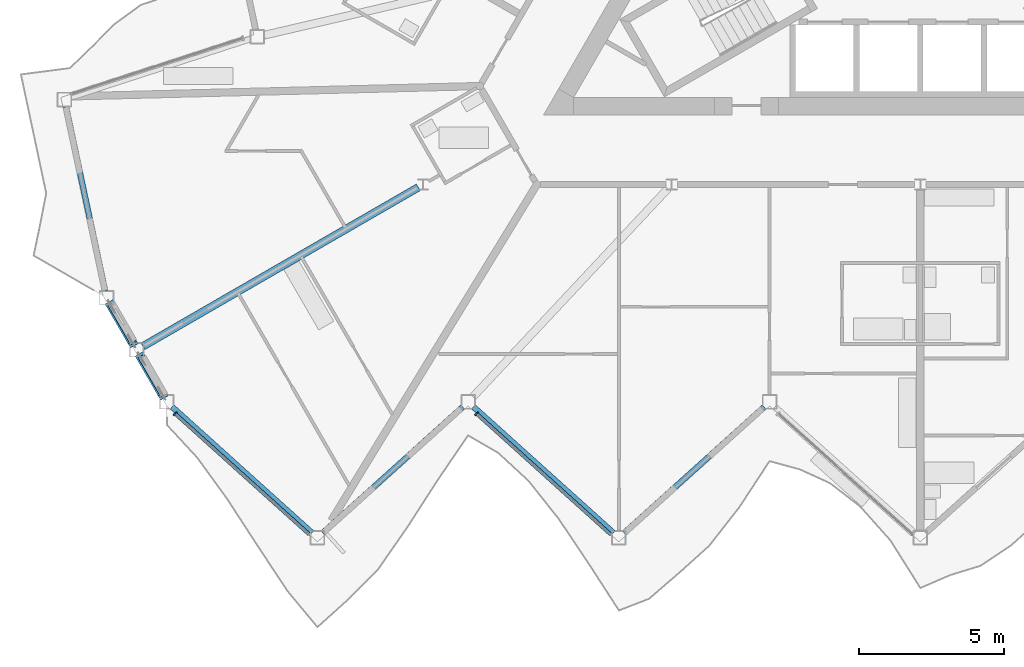
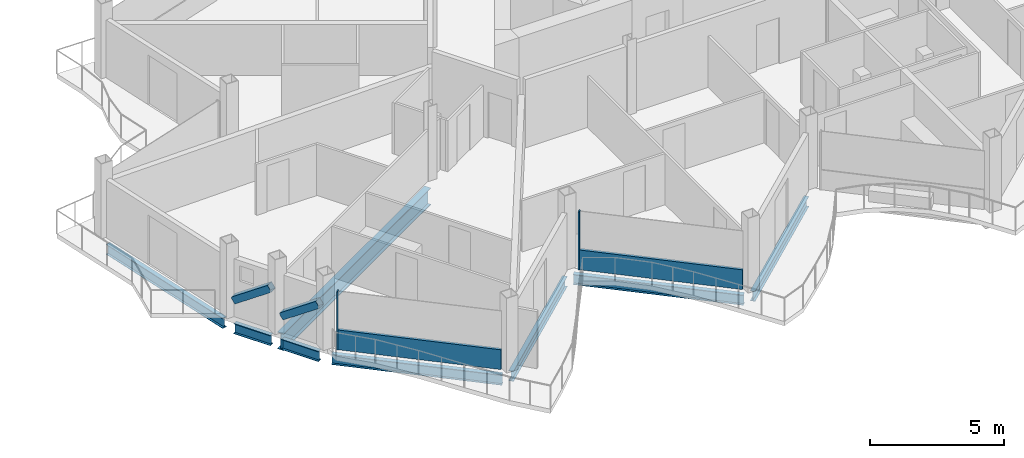
# One storey, part 4 of 26: 8 beams, 6 members, 2 elements without a shape of their own.
"""IFC4 building model written with IfcOpenShell, lengths in metres."""

from ifc_helpers import new_model, si_unit, direction, frame, origin, origin_2d, place, context, subcontext, project, spatial, rectangle, hollow_rectangle, i_section, extrude, material, layer, layer_set, material_profile, profile_set, type_object, element, aggregate, save


model = new_model("IFC4")

# Units and contexts
model_context = context("Model", 3, precision=1e-05, world=origin(), true_north=direction((0.0, 1.0)))
body_context = subcontext(model_context, "Body", "Model", "MODEL_VIEW")
ifc_project = project(units=[si_unit("LENGTHUNIT", "METRE"), si_unit("AREAUNIT", "SQUARE_METRE"), si_unit("VOLUMEUNIT", "CUBIC_METRE"), si_unit("PLANEANGLEUNIT", "RADIAN"), si_unit("MASSUNIT", "GRAM", prefix="KILO")], contexts=[model_context])

# Site, building, storey
site_placement = place(None, origin())
site = spatial("IfcSite", under=ifc_project, at=site_placement, CompositionType="ELEMENT")
building_placement = place(site_placement, origin())
building = spatial("IfcBuilding", under=site, at=building_placement, Name="Cormorant Prow Tower", CompositionType="ELEMENT")
storey_placement = place(building_placement, frame((0.0, 0.0, 398.39990234375)))
storey = spatial("IfcBuildingStorey", under=building, at=storey_placement, Name="L91", CompositionType="ELEMENT", Elevation=398.39990234375)

# Members
ifc_material_1 = material(Name="Structural steel ASTM A500 Gr C", Category="steel")
ifc_material_profile_1 = material_profile(ifc_material_1, hollow_rectangle(XDim=0.3046875, YDim=0.3046875, WallThickness=0.01171875, at=origin_2d()), Name="HSS12x12x1/2")
ifc_profile_set_1 = profile_set([ifc_material_profile_1], Name="Structural steel ASTM A500 Gr C")
member_type_1 = type_object("IfcMemberType", Name="Chamfer brace HSS12x12x1/2", PredefinedType="BRACE", material=ifc_profile_set_1)
member_1_placement = place(storey_placement, frame((-27.950439453125, -14.027587890625, 0.770751953125), z_axis=(0.411259909174, -0.712333680754, 0.568723143867), x_axis=(0.866028632512, 0.499994407638, 0.0)))
element("IfcMember", 1, at=member_1_placement, inside=storey, type_object=member_type_1, Name="Chamfer brace BR3 at WSW00 L91", PredefinedType="BRACE", context=body_context, shape_type="SweptSolid", body=[
    extrude(hollow_rectangle(XDim=0.3046875, YDim=0.3046875, WallThickness=0.01171875, at=origin_2d()), origin(), (0.0, 0.0, 1.0), 1.921142578125),
])
member_2_placement = place(storey_placement, frame((-26.91357421875, -15.823486328125, 0.770751953125), z_axis=(0.41132825952, -0.712359043209, 0.568641940485), x_axis=(0.866000359435, 0.500043375578, 0.0)))
element("IfcMember", 2, at=member_2_placement, inside=storey, type_object=member_type_1, Name="Chamfer brace BR3 at WSW01 L91", PredefinedType="BRACE", context=body_context, shape_type="SweptSolid", body=[
    extrude(hollow_rectangle(XDim=0.3046875, YDim=0.3046875, WallThickness=0.01171875, at=origin_2d()), origin(), (0.0, 0.0, 1.0), 1.92138671875),
])

# Beam
ifc_material_2 = material(Name="Structural steel ASTM A992 Gr 50", Category="steel")
ifc_material_profile_2 = material_profile(ifc_material_2, i_section(OverallWidth=0.267822265625, OverallDepth=0.77001953125, WebThickness=0.015625, FlangeThickness=0.025390625, at=origin_2d()), Name="W30x132")
ifc_profile_set_2 = profile_set([ifc_material_profile_2], Name="Structural steel ASTM A992 Gr 50")
beam_type_1 = type_object("IfcBeamType", Name="Radial floor beam W30x132", PredefinedType="BEAM", material=ifc_profile_set_2)
beam_1_placement = place(storey_placement, frame((-17.31884765625, -9.9990234375, -0.684814453125), z_axis=(-0.866018830095, -0.500011385791, 0.0), x_axis=(0.500011385791, -0.866018830095, 0.0)))
element("IfcBeam", 3, at=beam_1_placement, inside=storey, type_object=beam_type_1, Name="Radial floor beam FB3 5 L91", PredefinedType="BEAM", context=body_context, shape_type="SweptSolid", body=[
    extrude(i_section(OverallWidth=0.267822265625, OverallDepth=0.77001953125, WebThickness=0.015625, FlangeThickness=0.025390625, at=origin_2d()), origin(), (0.0, 0.0, 1.0), 10.971435546875),
])

# Curtain wall, member
ifc_material_3 = material(Name="Aluminium 6063-T6", Category="aluminium")
ifc_layer = layer(ifc_material_3, 0.159912109375)
ifc_layer_set = layer_set([ifc_layer], Name="Aluminium 6063-T6")
curtain_wall_type = type_object("IfcCurtainWallType", Name="Residential unitised curtain wall 160", PredefinedType="NOTDEFINED", material=ifc_layer_set)
curtain_wall_1_placement = place(storey_placement, origin())
curtain_wall_1 = element("IfcCurtainWall", 4, at=curtain_wall_1_placement, inside=storey, type_object=curtain_wall_type, Name="Residential curtain wall S00", PredefinedType="NOTDEFINED")
ifc_material_4 = material(Name="Aluminium 6063-T6", Category="aluminium")
ifc_material_profile_3 = material_profile(ifc_material_4, rectangle(XDim=0.159912109375, YDim=0.050048828125, at=origin_2d()), Name="Residential mullion 50x160")
ifc_profile_set_3 = profile_set([ifc_material_profile_3], Name="Aluminium 6063-T6")
member_type_2 = type_object("IfcMemberType", Name="Residential mullion 50x160", PredefinedType="MULLION", material=ifc_profile_set_3)
member_3_placement = place(storey_placement, frame((-25.70947265625, -17.810546875, 0.0), z_axis=(0.0, 0.0, 1.0), x_axis=(0.669130603959, 0.743144827638, 0.0)))
member_3 = element("IfcMember", 5, at=member_3_placement, type_object=member_type_2, Name="Residential mullion S00", PredefinedType="MULLION", context=body_context, shape_type="SweptSolid", body=[
    extrude(rectangle(XDim=0.159912109375, YDim=0.050048828125, at=origin_2d()), origin(), (0.0, 0.0, 1.0), 2.634033203125),
])

curtain_wall_2_placement = place(storey_placement, origin())
curtain_wall_2 = element("IfcCurtainWall", 6, at=curtain_wall_2_placement, inside=storey, type_object=curtain_wall_type, Name="Residential curtain wall S02", PredefinedType="NOTDEFINED")
member_4_placement = place(storey_placement, frame((-15.309326171875, -17.810546875, 0.0), z_axis=(0.0, 0.0, 1.0), x_axis=(0.669130603959, 0.743144827638, 0.0)))
member_4 = element("IfcMember", 7, at=member_4_placement, type_object=member_type_2, Name="Residential mullion S02", PredefinedType="MULLION", context=body_context, shape_type="SweptSolid", body=[
    extrude(rectangle(XDim=0.159912109375, YDim=0.050048828125, at=origin_2d()), origin(), (0.0, 0.0, 1.0), 2.634033203125),
])

# Member
ifc_material_5 = material(Name="Terracotta", Category="masonry")
ifc_material_profile_4 = material_profile(ifc_material_5, rectangle(XDim=0.1201171875, YDim=0.89990234375, at=origin_2d()), Name="Residential terracotta spandrel rail 120x900")
ifc_profile_set_4 = profile_set([ifc_material_profile_4], Name="Terracotta")
member_type_3 = type_object("IfcMemberType", Name="Residential terracotta spandrel rail 120x900", PredefinedType="USERDEFINED", material=ifc_profile_set_4)
member_5_placement = place(storey_placement, frame((-25.69091796875, -17.8271484375, 0.4501953125), z_axis=(0.743139827378, -0.669136157269, 0.0), x_axis=(0.669136157269, 0.743139827378, 0.0)))
member_5 = element("IfcMember", 8, at=member_5_placement, type_object=member_type_3, Name="Residential spandrel rail S00", ObjectType="TRANSOM", PredefinedType="USERDEFINED", context=body_context, shape_type="SweptSolid", body=[
    extrude(rectangle(XDim=0.1201171875, YDim=0.89990234375, at=origin_2d()), origin(), (0.0, 0.0, 1.0), 6.21533203125),
])

aggregate(curtain_wall_1, [member_3, member_5])

member_6_placement = place(storey_placement, frame((-15.290771484375, -17.8271484375, 0.4501953125), z_axis=(0.743139827378, -0.669136157269, 0.0), x_axis=(0.669136157269, 0.743139827378, 0.0)))
member_6 = element("IfcMember", 9, at=member_6_placement, type_object=member_type_3, Name="Residential spandrel rail S02", ObjectType="TRANSOM", PredefinedType="USERDEFINED", context=body_context, shape_type="SweptSolid", body=[
    extrude(rectangle(XDim=0.1201171875, YDim=0.89990234375, at=origin_2d()), origin(), (0.0, 0.0, 1.0), 6.21533203125),
])

aggregate(curtain_wall_2, [member_4, member_6])

# Beams
ifc_material_6 = material(Name="Structural steel ASTM A992 Gr 50", Category="steel")
ifc_material_profile_5 = material_profile(ifc_material_6, i_section(OverallWidth=0.19287109375, OverallDepth=0.466064453125, WebThickness=0.011474609375, FlangeThickness=0.01904296875, at=origin_2d()), Name="W18x65")
ifc_profile_set_5 = profile_set([ifc_material_profile_5], Name="Structural steel ASTM A992 Gr 50")
beam_type_2 = type_object("IfcBeamType", Name="Spandrel beam W18x65", PredefinedType="SPANDREL", material=ifc_profile_set_5)
for number, where, z_axis, x_axis, name in (
    (10, (-25.814208984375, -17.572998046875, -0.532958984375), (0.743131573737, -0.669145323614, 0.0), (0.669145323614, 0.743131573737, 0.0), "Spandrel beam SB4 S00-S01 L91"),
    (11, (-20.6142578125, -21.920654296875, -0.532958984375), (0.743131573737, 0.669145323614, 0.0), (-0.669145323614, 0.743131573737, 0.0), "Spandrel beam SB4 S01-S02 L91"),
):
    element("IfcBeam", number, at=place(storey_placement, frame(where, z_axis=z_axis, x_axis=x_axis)), inside=storey, type_object=beam_type_2, Name=name, PredefinedType="SPANDREL", context=body_context, shape_type="SweptSolid", body=[
        extrude(i_section(OverallWidth=0.19287109375, OverallDepth=0.466064453125, WebThickness=0.011474609375, FlangeThickness=0.01904296875, at=origin_2d()), origin(), (0.0, 0.0, 1.0), 6.497314453125),
    ])
beam_2_placement = place(storey_placement, frame((-15.414306640625, -17.572998046875, -0.532958984375), z_axis=(0.743148397689, -0.669126638995, 0.0), x_axis=(0.669126638995, 0.743148397689, 0.0)))
element("IfcBeam", 12, at=beam_2_placement, inside=storey, type_object=beam_type_2, Name="Spandrel beam SB4 S02-S03 L91", PredefinedType="SPANDREL", context=body_context, shape_type="SweptSolid", body=[
    extrude(i_section(OverallWidth=0.19287109375, OverallDepth=0.466064453125, WebThickness=0.011474609375, FlangeThickness=0.01904296875, at=origin_2d()), origin(), (0.0, 0.0, 1.0), 6.49755859375),
])
beam_3_placement = place(storey_placement, frame((-10.214111328125, -21.920654296875, -0.532958984375), z_axis=(0.743131573737, 0.669145323614, 0.0), x_axis=(-0.669145323614, 0.743131573737, 0.0)))
element("IfcBeam", 13, at=beam_3_placement, inside=storey, type_object=beam_type_2, Name="Spandrel beam SB4 S03-S04 L91", PredefinedType="SPANDREL", context=body_context, shape_type="SweptSolid", body=[
    extrude(i_section(OverallWidth=0.19287109375, OverallDepth=0.466064453125, WebThickness=0.011474609375, FlangeThickness=0.01904296875, at=origin_2d()), origin(), (0.0, 0.0, 1.0), 6.497314453125),
])
beam_4_placement = place(storey_placement, frame((-29.4765625, -7.2138671875, -0.532958984375), z_axis=(0.207901897373, -0.978149682344, 0.0), x_axis=(0.978149682344, 0.207901897373, 0.0)))
element("IfcBeam", 14, at=beam_4_placement, inside=storey, type_object=beam_type_2, Name="Spandrel beam SB4 WNW09-WSW00 L91", PredefinedType="SPANDREL", context=body_context, shape_type="SweptSolid", body=[
    extrude(i_section(OverallWidth=0.19287109375, OverallDepth=0.466064453125, WebThickness=0.011474609375, FlangeThickness=0.01904296875, at=origin_2d()), origin(), (0.0, 0.0, 1.0), 6.49755859375),
])
for number, where, z_axis, x_axis, name in (
    (15, (-27.94873046875, -14.0302734375, -0.532958984375), (0.499959680857, -0.866048680801, 0.0), (0.866048680801, 0.499959680857, 0.0), "Spandrel beam SB4 WSW00-WSW01 L91"),
    (16, (-26.911865234375, -15.826171875, -0.532958984375), (0.499959680857, -0.866048680801, 0.0), (0.866048680801, 0.499959680857, 0.0), "Spandrel beam SB4 WSW01-S00 L91"),
):
    element("IfcBeam", number, at=place(storey_placement, frame(where, z_axis=z_axis, x_axis=x_axis)), inside=storey, type_object=beam_type_2, Name=name, PredefinedType="SPANDREL", context=body_context, shape_type="SweptSolid", body=[
        extrude(i_section(OverallWidth=0.19287109375, OverallDepth=0.466064453125, WebThickness=0.011474609375, FlangeThickness=0.01904296875, at=origin_2d()), origin(), (0.0, 0.0, 1.0), 1.573974609375),
    ])

save(model, "model.ifc")
